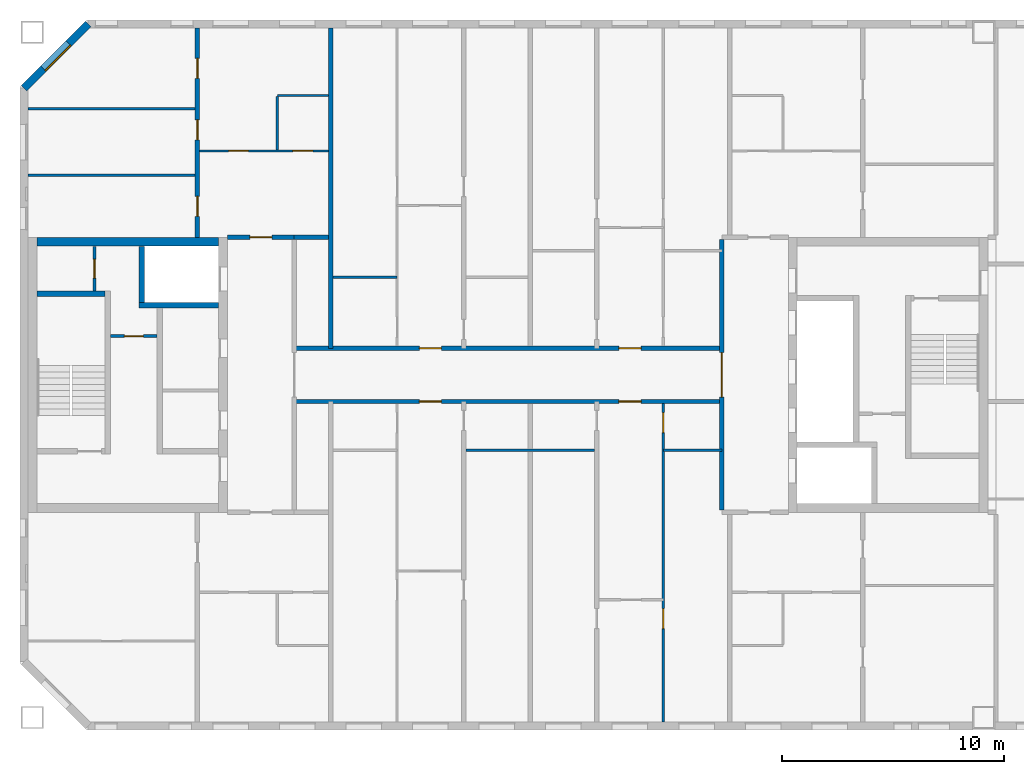
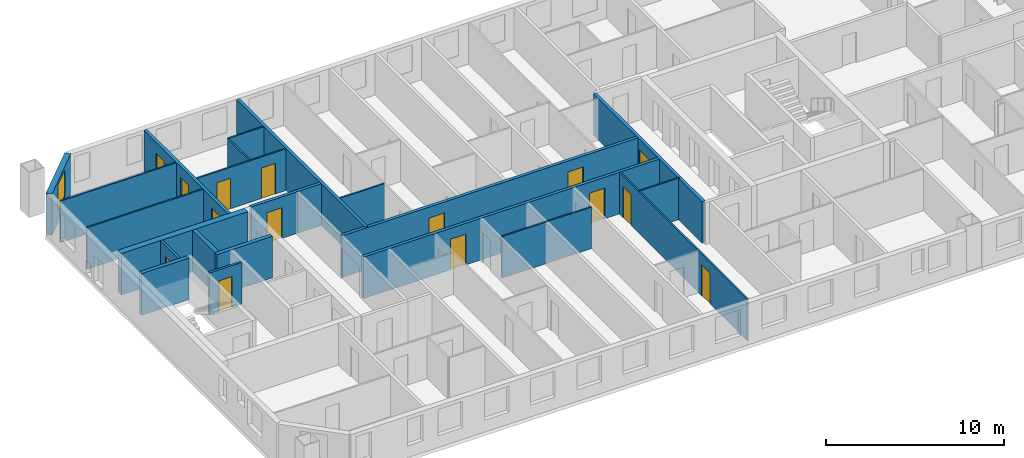
# One storey, part 6 of 19: 23 walls, 15 doors, 1 window, 16 openings.
"""IFC4 building model written with IfcOpenShell, lengths in metres."""

from ifc_helpers import new_model, si_unit, direction, frame, frame_2d, origin, place, context, subcontext, project, spatial, rectangle, extrude, material, layer, layer_set, type_object, element, fill, save


model = new_model("IFC4")

# Units and contexts
model_context = context("Model", 3, precision=1e-05, world=origin(), true_north=direction((0.0, 1.0)))
body_context = subcontext(model_context, "Body", "Model", "MODEL_VIEW")
ifc_project = project(units=[si_unit("LENGTHUNIT", "METRE"), si_unit("AREAUNIT", "SQUARE_METRE"), si_unit("VOLUMEUNIT", "CUBIC_METRE"), si_unit("PLANEANGLEUNIT", "RADIAN"), si_unit("MASSUNIT", "GRAM", prefix="KILO")], contexts=[model_context])

# Site, building, storey
site_placement = place(None, origin())
site = spatial("IfcSite", under=ifc_project, at=site_placement, CompositionType="ELEMENT")
building_placement = place(site_placement, origin())
building = spatial("IfcBuilding", under=site, at=building_placement, Name="Tuart Gate Housing", CompositionType="ELEMENT")
storey_placement = place(building_placement, frame((0.0, 0.0, 209.0)))
storey = spatial("IfcBuildingStorey", under=building, at=storey_placement, Name="L59", CompositionType="ELEMENT", Elevation=209.0)

# Wall, opening, window
ifc_material_1 = material(Name="Brick", Category="masonry")
ifc_layer_1 = layer(ifc_material_1, 0.360107421875)
ifc_layer_set_1 = layer_set([ifc_layer_1], Name="Brick pier and spandrel wall 360")
wall_type_1 = type_object("IfcWallType", Name="Brick pier and spandrel wall 360", PredefinedType="STANDARD", material=ifc_layer_set_1)
wall_1_placement = place(storey_placement, frame((35.07470703125, 85.820068359375, 0.0), z_axis=(0.0, 0.0, 1.0), x_axis=(-0.707106781187, -0.707106781187, 0.0)))
wall_1 = element("IfcWall", 1, at=wall_1_placement, inside=storey, type_object=wall_type_1, Name="External wall BLK-NW L59", PredefinedType="STANDARD", context=body_context, shape_type="SweptSolid", body=[
    extrude(rectangle(XDim=4.09375, YDim=0.360107421875, at=frame_2d((2.046875, 0.0))), origin(), (0.0, 0.0, 1.0), 2.85009765625),
])
opening_1_placement = place(wall_1_placement, frame((1.2470703125, 0.0, 0.800048828125)))
opening_1 = element("IfcOpeningElement", 2, at=opening_1_placement, cuts=wall_1, Name="Opening W1", PredefinedType="OPENING", context=body_context, shape_type="SweptSolid", body=[
    extrude(rectangle(XDim=1.60009765625, YDim=1.800048828125, at=frame_2d((0.800048828125, 0.89990234375))), frame((0.0, 0.18994140625, 0.0), z_axis=(0.0, -1.0, 0.0), x_axis=(1.0, 0.0, 0.0)), (0.0, 0.0, 1.0), 0.380126953125),
])
ifc_material_2 = material(Name="Aluminium frame with clear glass", Category="aluminium")
window_type = type_object("IfcWindowType", Name="Punched window 1600 x 1800", PartitioningType="SINGLE_PANEL", PredefinedType="WINDOW", material=ifc_material_2)
window_placement = place(opening_1_placement, origin())
window = element("IfcWindow", 3, at=window_placement, inside=storey, type_object=window_type, Name="Window W1", OverallHeight=1.800048828125, OverallWidth=1.60009765625, PartitioningType="SINGLE_PANEL", PredefinedType="WINDOW", context=body_context, shape_type="SweptSolid", body=[
    extrude(rectangle(XDim=1.60009765625, YDim=1.800048828125, at=frame_2d((0.800048828125, 0.89990234375))), frame((0.0, 0.150146484375, 0.0), z_axis=(0.0, -1.0, 0.0), x_axis=(1.0, 0.0, 0.0)), (0.0, 0.0, 1.0), 0.06005859375),
])
fill(opening_1, window)

# Wall, opening, door
ifc_material_3 = material(Name="Plasterboard partition")
ifc_layer_2 = layer(ifc_material_3, 0.14990234375)
ifc_layer_set_2 = layer_set([ifc_layer_2], Name="Core partition 150")
wall_type_2 = type_object("IfcWallType", Name="Core partition 150", PredefinedType="PARTITIONING", material=ifc_layer_set_2)
wall_2_placement = place(storey_placement, frame((38.18505859375, 71.75, 0.0), z_axis=(0.0, 0.0, 1.0), x_axis=(-1.0, 0.0, 0.0)))
wall_2 = element("IfcWall", 4, at=wall_2_placement, inside=storey, type_object=wall_type_2, Name="Core partition AK.3", PredefinedType="PARTITIONING", context=body_context, shape_type="SweptSolid", body=[
    extrude(rectangle(XDim=2.10009765625, YDim=0.14990234375, at=frame_2d((1.050048828125, 0.0))), origin(), (0.0, 0.0, 1.0), 2.85009765625),
])
opening_2_placement = place(wall_2_placement, frame((0.625, 0.0, 0.0)))
opening_2 = element("IfcOpeningElement", 5, at=opening_2_placement, cuts=wall_2, Name="Opening D2132", PredefinedType="OPENING", context=body_context, shape_type="SweptSolid", body=[
    extrude(rectangle(XDim=0.85009765625, YDim=2.10009765625, at=frame_2d((0.425048828125, 1.050048828125))), frame((0.0, 0.0849609375, 0.0), z_axis=(0.0, -1.0, 0.0), x_axis=(1.0, 0.0, 0.0)), (0.0, 0.0, 1.0), 0.169921875),
])
ifc_material_4 = material(Name="Steel fire door", Category="steel")
door_type_1 = type_object("IfcDoorType", Name="Riser door 850 x 2100 RH", OperationType="SINGLE_SWING_RIGHT", PredefinedType="DOOR", material=ifc_material_4)
door_1_placement = place(opening_2_placement, frame((0.85009765625, 0.0, 0.0), z_axis=(0.0, 0.0, 1.0), x_axis=(-1.0, 0.0, 0.0)))
door_1 = element("IfcDoor", 6, at=door_1_placement, inside=storey, type_object=door_type_1, Name="Service room door AK.E1", OperationType="SINGLE_SWING_RIGHT", OverallHeight=2.10009765625, OverallWidth=0.85009765625, PredefinedType="DOOR", context=body_context, shape_type="SweptSolid", body=[
    extrude(rectangle(XDim=0.85009765625, YDim=2.10009765625, at=frame_2d((0.425048828125, 1.050048828125))), frame((0.0, 0.025146484375, 0.0), z_axis=(0.0, -1.0, 0.0), x_axis=(1.0, 0.0, 0.0)), (0.0, 0.0, 1.0), 0.050048828125),
])
fill(opening_2, door_1)

wall_3_placement = place(storey_placement, frame((35.360107421875, 75.800048828125, 0.0), z_axis=(0.0, 0.0, 1.0), x_axis=(0.0, -1.0, 0.0)))
wall_3 = element("IfcWall", 7, at=wall_3_placement, inside=storey, type_object=wall_type_2, Name="Core partition AK.10", PredefinedType="PARTITIONING", context=body_context, shape_type="SweptSolid", body=[
    extrude(rectangle(XDim=2.025146484375, YDim=0.14990234375, at=frame_2d((1.0126953125, 0.0))), origin(), (0.0, 0.0, 1.0), 2.85009765625),
])
opening_3_placement = place(wall_3_placement, frame((0.58740234375, 0.0, 0.0)))
opening_3 = element("IfcOpeningElement", 8, at=opening_3_placement, cuts=wall_3, Name="Opening D2130", PredefinedType="OPENING", context=body_context, shape_type="SweptSolid", body=[
    extrude(rectangle(XDim=0.85009765625, YDim=2.10009765625, at=frame_2d((0.425048828125, 1.050048828125))), frame((0.0, 0.0849609375, 0.0), z_axis=(0.0, -1.0, 0.0), x_axis=(1.0, 0.0, 0.0)), (0.0, 0.0, 1.0), 0.169921875),
])
ifc_material_5 = material(Name="Steel fire door", Category="steel")
door_type_2 = type_object("IfcDoorType", Name="Service door 850 x 2100", OperationType="SINGLE_SWING_LEFT", PredefinedType="DOOR", material=ifc_material_5)
door_2_placement = place(opening_3_placement, origin())
door_2 = element("IfcDoor", 9, at=door_2_placement, inside=storey, type_object=door_type_2, Name="Service room door AK.E2", OperationType="SINGLE_SWING_LEFT", OverallHeight=2.10009765625, OverallWidth=0.85009765625, PredefinedType="DOOR", context=body_context, shape_type="SweptSolid", body=[
    extrude(rectangle(XDim=0.85009765625, YDim=2.10009765625, at=frame_2d((0.425048828125, 1.050048828125))), frame((0.0, 0.02490234375, 0.0), z_axis=(0.0, -1.0, 0.0), x_axis=(1.0, 0.0, 0.0)), (0.0, 0.0, 1.0), 0.050048828125),
])
fill(opening_3, door_2)

# Walls
ifc_material_6 = material(Name="Concrete C40", Category="concrete")
ifc_layer_3 = layer(ifc_material_6, 0.25)
ifc_layer_set_3 = layer_set([ifc_layer_3], Name="Core wall 250 C40")
wall_type_3 = type_object("IfcWallType", Name="Core wall 250 C40", PredefinedType="SHEAR", material=ifc_layer_set_3)
wall_4_placement = place(storey_placement, frame((35.8349609375, 73.64990234375, 0.0), z_axis=(0.0, 0.0, 1.0), x_axis=(-1.0, 0.0, 0.0)))
element("IfcWall", 10, at=wall_4_placement, inside=storey, type_object=wall_type_3, Name="Core wall AK.1", PredefinedType="SHEAR", context=body_context, shape_type="SweptSolid", body=[
    extrude(rectangle(XDim=3.074951171875, YDim=0.25, at=frame_2d((1.53759765625, 0.0))), origin(), (0.0, 0.0, 1.0), 2.85009765625),
])
wall_5_placement = place(storey_placement, frame((40.9599609375, 73.14990234375, 0.0), z_axis=(0.0, 0.0, 1.0), x_axis=(-1.0, 0.0, 0.0)))
element("IfcWall", 11, at=wall_5_placement, inside=storey, type_object=wall_type_3, Name="Core wall AK.2", PredefinedType="SHEAR", context=body_context, shape_type="SweptSolid", body=[
    extrude(rectangle(XDim=3.594970703125, YDim=0.25, at=frame_2d((1.79736328125, 0.0))), origin(), (0.0, 0.0, 1.0), 2.85009765625),
])
wall_6_placement = place(storey_placement, frame((37.489990234375, 75.800048828125, 0.0), z_axis=(0.0, 0.0, 1.0), x_axis=(0.0, -1.0, 0.0)))
element("IfcWall", 12, at=wall_6_placement, inside=storey, type_object=wall_type_3, Name="Core wall AK.8", PredefinedType="SHEAR", context=body_context, shape_type="SweptSolid", body=[
    extrude(rectangle(XDim=2.525146484375, YDim=0.25, at=frame_2d((1.2626953125, 0.0))), origin(), (0.0, 0.0, 1.0), 2.85009765625),
])
ifc_material_7 = material(Name="Concrete C40", Category="concrete")
ifc_layer_4 = layer(ifc_material_7, 0.39990234375)
ifc_layer_set_4 = layer_set([ifc_layer_4], Name="Core wall 400 C40")
wall_type_4 = type_object("IfcWallType", Name="Core wall 400 C40", PredefinedType="SHEAR", material=ifc_layer_set_4)
wall_7_placement = place(storey_placement, frame((40.9599609375, 76.0, 0.0), z_axis=(0.0, 0.0, 1.0), x_axis=(-1.0, 0.0, 0.0)))
element("IfcWall", 13, at=wall_7_placement, inside=storey, type_object=wall_type_4, Name="Core wall AK south", PredefinedType="SHEAR", context=body_context, shape_type="SweptSolid", body=[
    extrude(rectangle(XDim=8.199951171875, YDim=0.39990234375, at=frame_2d((4.10009765625, 0.0))), origin(), (0.0, 0.0, 1.0), 2.85009765625),
])

# Wall, openings, doors
ifc_material_8 = material(Name="Concrete masonry 15 MPa", Category="masonry")
ifc_layer_5 = layer(ifc_material_8, 0.199951171875)
ifc_layer_set_5 = layer_set([ifc_layer_5], Name="Corridor wall masonry 200")
wall_type_5 = type_object("IfcWallType", Name="Corridor wall masonry 200", PredefinedType="PARTITIONING", material=ifc_layer_set_5)
wall_8_placement = place(storey_placement, frame((44.360107421875, 68.800048828125, 0.0), z_axis=(0.0, 0.0, 1.0), x_axis=(1.0, 0.0, 0.0)))
wall_8 = element("IfcWall", 14, at=wall_8_placement, inside=storey, type_object=wall_type_5, Name="Corridor wall masonry 200", PredefinedType="PARTITIONING", context=body_context, shape_type="SweptSolid", body=[
    extrude(rectangle(XDim=19.27978515625, YDim=0.199951171875, at=frame_2d((9.639892578125, 0.0))), origin(), (0.0, 0.0, 1.0), 2.85009765625),
])
opening_4_placement = place(wall_8_placement, frame((14.639892578125, 0.0, 0.0)))
opening_4 = element("IfcOpeningElement", 15, at=opening_4_placement, cuts=wall_8, Name="Opening D2142", PredefinedType="OPENING", context=body_context, shape_type="SweptSolid", body=[
    extrude(rectangle(XDim=1.0, YDim=2.10009765625, at=frame_2d((0.5, 1.050048828125))), frame((0.0, 0.10986328125, 0.0), z_axis=(0.0, -1.0, 0.0), x_axis=(1.0, 0.0, 0.0)), (0.0, 0.0, 1.0), 0.219970703125),
])
opening_5_placement = place(wall_8_placement, frame((5.639892578125, 0.0, 0.0)))
opening_5 = element("IfcOpeningElement", 16, at=opening_5_placement, cuts=wall_8, Name="Opening D2143", PredefinedType="OPENING", context=body_context, shape_type="SweptSolid", body=[
    extrude(rectangle(XDim=1.0, YDim=2.10009765625, at=frame_2d((0.5, 1.050048828125))), frame((0.0, 0.10986328125, 0.0), z_axis=(0.0, -1.0, 0.0), x_axis=(1.0, 0.0, 0.0)), (0.0, 0.0, 1.0), 0.219970703125),
])
ifc_material_9 = material(Name="Timber door leaf in steel frame", Category="steel")
door_type_3 = type_object("IfcDoorType", Name="Flat entrance door 1000 RH", OperationType="SINGLE_SWING_RIGHT", PredefinedType="DOOR", material=ifc_material_9)
door_3_placement = place(opening_4_placement, frame((1.0, 0.0, 0.0), z_axis=(0.0, 0.0, 1.0), x_axis=(-1.0, 0.0, 0.0)))
door_3 = element("IfcDoor", 17, at=door_3_placement, inside=storey, type_object=door_type_3, Name="Flat entrance door", OperationType="SINGLE_SWING_RIGHT", OverallHeight=2.10009765625, OverallWidth=1.0, PredefinedType="DOOR", context=body_context, shape_type="SweptSolid", body=[
    extrude(rectangle(XDim=1.0, YDim=2.10009765625, at=frame_2d((0.5, 1.050048828125))), frame((0.0, 0.025146484375, 0.0), z_axis=(0.0, -1.0, 0.0), x_axis=(1.0, 0.0, 0.0)), (0.0, 0.0, 1.0), 0.050048828125),
])
fill(opening_4, door_3)
door_4_placement = place(opening_5_placement, frame((1.0, 0.0, 0.0), z_axis=(0.0, 0.0, 1.0), x_axis=(-1.0, 0.0, 0.0)))
door_4 = element("IfcDoor", 18, at=door_4_placement, inside=storey, type_object=door_type_3, Name="Flat entrance door", OperationType="SINGLE_SWING_RIGHT", OverallHeight=2.10009765625, OverallWidth=1.0, PredefinedType="DOOR", context=body_context, shape_type="SweptSolid", body=[
    extrude(rectangle(XDim=1.0, YDim=2.10009765625, at=frame_2d((0.5, 1.050048828125))), frame((0.0, 0.025146484375, 0.0), z_axis=(0.0, -1.0, 0.0), x_axis=(1.0, 0.0, 0.0)), (0.0, 0.0, 1.0), 0.050048828125),
])
fill(opening_5, door_4)

wall_9_placement = place(storey_placement, frame((44.360107421875, 71.199951171875, 0.0), z_axis=(0.0, 0.0, 1.0), x_axis=(1.0, 0.0, 0.0)))
wall_9 = element("IfcWall", 19, at=wall_9_placement, inside=storey, type_object=wall_type_5, Name="Corridor wall masonry 200", PredefinedType="PARTITIONING", context=body_context, shape_type="SweptSolid", body=[
    extrude(rectangle(XDim=19.27978515625, YDim=0.199951171875, at=frame_2d((9.639892578125, 0.0))), origin(), (0.0, 0.0, 1.0), 2.85009765625),
])
opening_6_placement = place(wall_9_placement, frame((14.639892578125, 0.0, 0.0)))
opening_6 = element("IfcOpeningElement", 20, at=opening_6_placement, cuts=wall_9, Name="Opening D2133", PredefinedType="OPENING", context=body_context, shape_type="SweptSolid", body=[
    extrude(rectangle(XDim=1.0, YDim=2.10009765625, at=frame_2d((0.5, 1.050048828125))), frame((0.0, 0.10986328125, 0.0), z_axis=(0.0, -1.0, 0.0), x_axis=(1.0, 0.0, 0.0)), (0.0, 0.0, 1.0), 0.219970703125),
])
opening_7_placement = place(wall_9_placement, frame((5.639892578125, 0.0, 0.0)))
opening_7 = element("IfcOpeningElement", 21, at=opening_7_placement, cuts=wall_9, Name="Opening D2134", PredefinedType="OPENING", context=body_context, shape_type="SweptSolid", body=[
    extrude(rectangle(XDim=1.0, YDim=2.10009765625, at=frame_2d((0.5, 1.050048828125))), frame((0.0, 0.10986328125, 0.0), z_axis=(0.0, -1.0, 0.0), x_axis=(1.0, 0.0, 0.0)), (0.0, 0.0, 1.0), 0.219970703125),
])
ifc_material_10 = material(Name="Timber door leaf in steel frame", Category="steel")
door_type_4 = type_object("IfcDoorType", Name="Flat entrance door 1000", OperationType="SINGLE_SWING_LEFT", PredefinedType="DOOR", material=ifc_material_10)
door_5_placement = place(opening_6_placement, origin())
door_5 = element("IfcDoor", 22, at=door_5_placement, inside=storey, type_object=door_type_4, Name="Flat entrance door", OperationType="SINGLE_SWING_LEFT", OverallHeight=2.10009765625, OverallWidth=1.0, PredefinedType="DOOR", context=body_context, shape_type="SweptSolid", body=[
    extrude(rectangle(XDim=1.0, YDim=2.10009765625, at=frame_2d((0.5, 1.050048828125))), frame((0.0, 0.02490234375, 0.0), z_axis=(0.0, -1.0, 0.0), x_axis=(1.0, 0.0, 0.0)), (0.0, 0.0, 1.0), 0.050048828125),
])
fill(opening_6, door_5)
door_6_placement = place(opening_7_placement, origin())
door_6 = element("IfcDoor", 23, at=door_6_placement, inside=storey, type_object=door_type_4, Name="Flat entrance door", OperationType="SINGLE_SWING_LEFT", OverallHeight=2.10009765625, OverallWidth=1.0, PredefinedType="DOOR", context=body_context, shape_type="SweptSolid", body=[
    extrude(rectangle(XDim=1.0, YDim=2.10009765625, at=frame_2d((0.5, 1.050048828125))), frame((0.0, 0.02490234375, 0.0), z_axis=(0.0, -1.0, 0.0), x_axis=(1.0, 0.0, 0.0)), (0.0, 0.0, 1.0), 0.050048828125),
])
fill(opening_7, door_6)

# Wall, opening, door
ifc_material_11 = material(Name="Concrete masonry 15 MPa", Category="masonry")
ifc_layer_6 = layer(ifc_material_11, 0.199951171875)
ifc_layer_set_6 = layer_set([ifc_layer_6], Name="Enclosure wall masonry 200")
wall_type_6 = type_object("IfcWallType", Name="Enclosure wall masonry 200", PredefinedType="PARTITIONING", material=ifc_layer_set_6)
wall_10_placement = place(storey_placement, frame((41.360107421875, 76.199951171875, 0.0), z_axis=(0.0, 0.0, 1.0), x_axis=(1.0, 0.0, 0.0)))
wall_10 = element("IfcWall", 24, at=wall_10_placement, inside=storey, type_object=wall_type_6, Name="Enclosure wall masonry 200", PredefinedType="PARTITIONING", context=body_context, shape_type="SweptSolid", body=[
    extrude(rectangle(XDim=3.0, YDim=0.199951171875, at=frame_2d((1.5, 0.0))), origin(), (0.0, 0.0, 1.0), 2.85009765625),
])
opening_8_placement = place(wall_10_placement, frame((1.0, 0.0, 0.0)))
opening_8 = element("IfcOpeningElement", 25, at=opening_8_placement, cuts=wall_10, Name="Opening D2128", PredefinedType="OPENING", context=body_context, shape_type="SweptSolid", body=[
    extrude(rectangle(XDim=1.0, YDim=2.10009765625, at=frame_2d((0.5, 1.050048828125))), frame((0.0, 0.10986328125, 0.0), z_axis=(0.0, -1.0, 0.0), x_axis=(1.0, 0.0, 0.0)), (0.0, 0.0, 1.0), 0.219970703125),
])
door_7_placement = place(opening_8_placement, origin())
door_7 = element("IfcDoor", 26, at=door_7_placement, inside=storey, type_object=door_type_4, Name="Flat entrance door", OperationType="SINGLE_SWING_LEFT", OverallHeight=2.10009765625, OverallWidth=1.0, PredefinedType="DOOR", context=body_context, shape_type="SweptSolid", body=[
    extrude(rectangle(XDim=1.0, YDim=2.10009765625, at=frame_2d((0.5, 1.050048828125))), frame((0.0, 0.02490234375, 0.0), z_axis=(0.0, -1.0, 0.0), x_axis=(1.0, 0.0, 0.0)), (0.0, 0.0, 1.0), 0.050048828125),
])
fill(opening_8, door_7)

ifc_material_12 = material(Name="Plasterboard partition")
ifc_layer_7 = layer(ifc_material_12, 0.199951171875)
ifc_layer_set_7 = layer_set([ifc_layer_7], Name="Lobby wall 200")
wall_type_7 = type_object("IfcWallType", Name="Lobby wall 200", PredefinedType="PARTITIONING", material=ifc_layer_set_7)
wall_11_placement = place(storey_placement, frame((63.639892578125, 63.89990234375, 0.0), z_axis=(0.0, 0.0, 1.0), x_axis=(0.0, 1.0, 0.0)))
wall_11 = element("IfcWall", 27, at=wall_11_placement, inside=storey, type_object=wall_type_7, Name="Lift lobby wall AG", PredefinedType="PARTITIONING", context=body_context, shape_type="SweptSolid", body=[
    extrude(rectangle(XDim=12.2001953125, YDim=0.199951171875, at=frame_2d((6.10009765625, 0.0))), origin(), (0.0, 0.0, 1.0), 2.85009765625),
])
opening_9_placement = place(wall_11_placement, frame((5.10009765625, 0.0, 0.0)))
opening_9 = element("IfcOpeningElement", 28, at=opening_9_placement, cuts=wall_11, Name="Opening D2139", PredefinedType="OPENING", context=body_context, shape_type="SweptSolid", body=[
    extrude(rectangle(XDim=2.0, YDim=2.10009765625, at=frame_2d((1.0, 1.050048828125))), frame((0.0, 0.10986328125, 0.0), z_axis=(0.0, -1.0, 0.0), x_axis=(1.0, 0.0, 0.0)), (0.0, 0.0, 1.0), 0.219970703125),
])
ifc_material_13 = material(Name="Steel fire door", Category="steel")
door_type_5 = type_object("IfcDoorType", Name="Smoke door 2000 x 2100", OperationType="DOUBLE_DOOR_SINGLE_SWING", PredefinedType="DOOR", material=ifc_material_13)
door_8_placement = place(opening_9_placement, frame((2.0, 0.0, 0.0), z_axis=(0.0, 0.0, 1.0), x_axis=(-1.0, 0.0, 0.0)))
door_8 = element("IfcDoor", 29, at=door_8_placement, inside=storey, type_object=door_type_5, Name="Lift lobby smoke door AG", OperationType="DOUBLE_DOOR_SINGLE_SWING", OverallHeight=2.10009765625, OverallWidth=2.0, PredefinedType="DOOR", context=body_context, shape_type="SweptSolid", body=[
    extrude(rectangle(XDim=2.0, YDim=2.10009765625, at=frame_2d((1.0, 1.050048828125))), frame((0.0, 0.025146484375, 0.0), z_axis=(0.0, -1.0, 0.0), x_axis=(1.0, 0.0, 0.0)), (0.0, 0.0, 1.0), 0.050048828125),
])
fill(opening_9, door_8)

# Walls
ifc_material_14 = material(Name="Gypsum board on steel studs", Category="steel")
ifc_layer_8 = layer(ifc_material_14, 0.10009765625)
ifc_layer_set_8 = layer_set([ifc_layer_8], Name="Partition 100")
wall_type_8 = type_object("IfcWallType", Name="Partition 100", PredefinedType="PARTITIONING", material=ifc_layer_set_8)
wall_12_placement = place(storey_placement, frame((52.10009765625, 66.60009765625, 0.0), z_axis=(0.0, 0.0, 1.0), x_axis=(1.0, 0.0, 0.0)))
element("IfcWall", 30, at=wall_12_placement, inside=storey, type_object=wall_type_8, Name="Partition 100", PredefinedType="PARTITIONING", context=body_context, shape_type="SweptSolid", body=[
    extrude(rectangle(XDim=5.7998046875, YDim=0.10009765625, at=frame_2d((2.89990234375, 0.0))), origin(), (0.0, 0.0, 1.0), 2.85009765625),
])
wall_13_placement = place(storey_placement, frame((61.0, 66.60009765625, 0.0), z_axis=(0.0, 0.0, 1.0), x_axis=(1.0, 0.0, 0.0)))
element("IfcWall", 31, at=wall_13_placement, inside=storey, type_object=wall_type_8, Name="Partition 100", PredefinedType="PARTITIONING", context=body_context, shape_type="SweptSolid", body=[
    extrude(rectangle(XDim=2.639892578125, YDim=0.10009765625, at=frame_2d((1.31982421875, 0.0))), origin(), (0.0, 0.0, 1.0), 2.85009765625),
])
wall_14_placement = place(storey_placement, frame((46.10009765625, 74.39990234375, 0.0), z_axis=(0.0, 0.0, 1.0), x_axis=(1.0, 0.0, 0.0)))
element("IfcWall", 32, at=wall_14_placement, inside=storey, type_object=wall_type_8, Name="Partition 100", PredefinedType="PARTITIONING", context=body_context, shape_type="SweptSolid", body=[
    extrude(rectangle(XDim=2.89990234375, YDim=0.10009765625, at=frame_2d((1.449951171875, 0.0))), origin(), (0.0, 0.0, 1.0), 2.85009765625),
])
wall_15_placement = place(storey_placement, frame((32.360107421875, 79.0, 0.0), z_axis=(0.0, 0.0, 1.0), x_axis=(1.0, 0.0, 0.0)))
element("IfcWall", 33, at=wall_15_placement, inside=storey, type_object=wall_type_8, Name="Partition 100", PredefinedType="PARTITIONING", context=body_context, shape_type="SweptSolid", body=[
    extrude(rectangle(XDim=7.539794921875, YDim=0.10009765625, at=frame_2d((3.77001953125, 0.0))), origin(), (0.0, 0.0, 1.0), 2.85009765625),
])

# Wall, openings, doors
wall_16_placement = place(storey_placement, frame((40.10009765625, 80.10009765625, 0.0), z_axis=(0.0, 0.0, 1.0), x_axis=(1.0, 0.0, 0.0)))
wall_16 = element("IfcWall", 34, at=wall_16_placement, inside=storey, type_object=wall_type_8, Name="Partition 100", PredefinedType="PARTITIONING", context=body_context, shape_type="SweptSolid", body=[
    extrude(rectangle(XDim=5.7998046875, YDim=0.10009765625, at=frame_2d((2.89990234375, 0.0))), origin(), (0.0, 0.0, 1.0), 2.85009765625),
])
opening_10_placement = place(wall_16_placement, frame((1.300048828125, 0.0, 0.0)))
opening_10 = element("IfcOpeningElement", 35, at=opening_10_placement, cuts=wall_16, Name="Opening D2115", PredefinedType="OPENING", context=body_context, shape_type="SweptSolid", body=[
    extrude(rectangle(XDim=0.89990234375, YDim=2.10009765625, at=frame_2d((0.449951171875, 1.050048828125))), frame((0.0, 0.06005859375, 0.0), z_axis=(0.0, -1.0, 0.0), x_axis=(1.0, 0.0, 0.0)), (0.0, 0.0, 1.0), 0.1201171875),
])
opening_11_placement = place(wall_16_placement, frame((4.199951171875, 0.0, 0.0)))
opening_11 = element("IfcOpeningElement", 36, at=opening_11_placement, cuts=wall_16, Name="Opening D2114", PredefinedType="OPENING", context=body_context, shape_type="SweptSolid", body=[
    extrude(rectangle(XDim=0.89990234375, YDim=2.10009765625, at=frame_2d((0.449951171875, 1.050048828125))), frame((0.0, 0.06005859375, 0.0), z_axis=(0.0, -1.0, 0.0), x_axis=(1.0, 0.0, 0.0)), (0.0, 0.0, 1.0), 0.1201171875),
])
ifc_material_15 = material(Name="Timber door leaf in steel frame", Category="steel")
door_type_6 = type_object("IfcDoorType", Name="Bathroom door 900", OperationType="SINGLE_SWING_LEFT", PredefinedType="DOOR", material=ifc_material_15)
door_9_placement = place(opening_11_placement, origin())
door_9 = element("IfcDoor", 37, at=door_9_placement, inside=storey, type_object=door_type_6, Name="Bathroom door", OperationType="SINGLE_SWING_LEFT", OverallHeight=2.10009765625, OverallWidth=0.89990234375, PredefinedType="DOOR", context=body_context, shape_type="SweptSolid", body=[
    extrude(rectangle(XDim=0.89990234375, YDim=2.10009765625, at=frame_2d((0.449951171875, 1.050048828125))), frame((0.0, 0.02490234375, 0.0), z_axis=(0.0, -1.0, 0.0), x_axis=(1.0, 0.0, 0.0)), (0.0, 0.0, 1.0), 0.050048828125),
])
fill(opening_11, door_9)
ifc_material_16 = material(Name="Timber door leaf in steel frame", Category="steel")
door_type_7 = type_object("IfcDoorType", Name="Internal door 900 RH", OperationType="SINGLE_SWING_RIGHT", PredefinedType="DOOR", material=ifc_material_16)
door_10_placement = place(opening_10_placement, frame((0.89990234375, 0.0, 0.0), z_axis=(0.0, 0.0, 1.0), x_axis=(-1.0, 0.0, 0.0)))
door_10 = element("IfcDoor", 38, at=door_10_placement, inside=storey, type_object=door_type_7, Name="Internal door", OperationType="SINGLE_SWING_RIGHT", OverallHeight=2.10009765625, OverallWidth=0.89990234375, PredefinedType="DOOR", context=body_context, shape_type="SweptSolid", body=[
    extrude(rectangle(XDim=0.89990234375, YDim=2.10009765625, at=frame_2d((0.449951171875, 1.050048828125))), frame((0.0, 0.025146484375, 0.0), z_axis=(0.0, -1.0, 0.0), x_axis=(1.0, 0.0, 0.0)), (0.0, 0.0, 1.0), 0.050048828125),
])
fill(opening_10, door_10)

# Walls
wall_17_placement = place(storey_placement, frame((32.360107421875, 82.0, 0.0), z_axis=(0.0, 0.0, 1.0), x_axis=(1.0, 0.0, 0.0)))
element("IfcWall", 39, at=wall_17_placement, inside=storey, type_object=wall_type_8, Name="Partition 100", PredefinedType="PARTITIONING", context=body_context, shape_type="SweptSolid", body=[
    extrude(rectangle(XDim=7.539794921875, YDim=0.10009765625, at=frame_2d((3.77001953125, 0.0))), origin(), (0.0, 0.0, 1.0), 2.85009765625),
])
wall_18_placement = place(storey_placement, frame((43.60009765625, 82.60009765625, 0.0), z_axis=(0.0, 0.0, 1.0), x_axis=(1.0, 0.0, 0.0)))
element("IfcWall", 40, at=wall_18_placement, inside=storey, type_object=wall_type_8, Name="Partition 100", PredefinedType="PARTITIONING", context=body_context, shape_type="SweptSolid", body=[
    extrude(rectangle(XDim=2.2998046875, YDim=0.10009765625, at=frame_2d((1.14990234375, 0.0))), origin(), (0.0, 0.0, 1.0), 2.85009765625),
])
wall_19_placement = place(storey_placement, frame((43.60009765625, 80.14990234375, 0.0), z_axis=(0.0, 0.0, 1.0), x_axis=(0.0, 1.0, 0.0)))
element("IfcWall", 41, at=wall_19_placement, inside=storey, type_object=wall_type_8, Name="Partition 100", PredefinedType="PARTITIONING", context=body_context, shape_type="SweptSolid", body=[
    extrude(rectangle(XDim=2.400146484375, YDim=0.10009765625, at=frame_2d((1.2001953125, 0.0))), origin(), (0.0, 0.0, 1.0), 2.85009765625),
])

# Wall, openings, doors
wall_20_placement = place(storey_placement, frame((61.0, 54.360107421875, 0.0), z_axis=(0.0, 0.0, 1.0), x_axis=(0.0, 1.0, 0.0)))
wall_20 = element("IfcWall", 42, at=wall_20_placement, inside=storey, type_object=wall_type_8, Name="Partition 100", PredefinedType="PARTITIONING", context=body_context, shape_type="SweptSolid", body=[
    extrude(rectangle(XDim=14.33984375, YDim=0.10009765625, at=frame_2d((7.169921875, 0.0))), origin(), (0.0, 0.0, 1.0), 2.85009765625),
])
opening_12_placement = place(wall_20_placement, frame((4.199951171875, 0.0, 0.0)))
opening_12 = element("IfcOpeningElement", 43, at=opening_12_placement, cuts=wall_20, Name="Opening D2155", PredefinedType="OPENING", context=body_context, shape_type="SweptSolid", body=[
    extrude(rectangle(XDim=0.89990234375, YDim=2.10009765625, at=frame_2d((0.449951171875, 1.050048828125))), frame((0.0, 0.06005859375, 0.0), z_axis=(0.0, -1.0, 0.0), x_axis=(1.0, 0.0, 0.0)), (0.0, 0.0, 1.0), 0.1201171875),
])
opening_13_placement = place(wall_20_placement, frame((13.0400390625, 0.0, 0.0)))
opening_13 = element("IfcOpeningElement", 44, at=opening_13_placement, cuts=wall_20, Name="Opening D2154", PredefinedType="OPENING", context=body_context, shape_type="SweptSolid", body=[
    extrude(rectangle(XDim=0.89990234375, YDim=2.10009765625, at=frame_2d((0.449951171875, 1.050048828125))), frame((0.0, 0.06005859375, 0.0), z_axis=(0.0, -1.0, 0.0), x_axis=(1.0, 0.0, 0.0)), (0.0, 0.0, 1.0), 0.1201171875),
])
door_11_placement = place(opening_13_placement, frame((0.89990234375, 0.0, 0.0), z_axis=(0.0, 0.0, 1.0), x_axis=(-1.0, 0.0, 0.0)))
door_11 = element("IfcDoor", 45, at=door_11_placement, inside=storey, type_object=door_type_6, Name="Bathroom door", OperationType="SINGLE_SWING_LEFT", OverallHeight=2.10009765625, OverallWidth=0.89990234375, PredefinedType="DOOR", context=body_context, shape_type="SweptSolid", body=[
    extrude(rectangle(XDim=0.89990234375, YDim=2.10009765625, at=frame_2d((0.449951171875, 1.050048828125))), frame((0.0, 0.025146484375, 0.0), z_axis=(0.0, -1.0, 0.0), x_axis=(1.0, 0.0, 0.0)), (0.0, 0.0, 1.0), 0.050048828125),
])
fill(opening_13, door_11)
door_12_placement = place(opening_12_placement, frame((0.89990234375, 0.0, 0.0), z_axis=(0.0, 0.0, 1.0), x_axis=(-1.0, 0.0, 0.0)))
door_12 = element("IfcDoor", 46, at=door_12_placement, inside=storey, type_object=door_type_7, Name="Internal door", OperationType="SINGLE_SWING_RIGHT", OverallHeight=2.10009765625, OverallWidth=0.89990234375, PredefinedType="DOOR", context=body_context, shape_type="SweptSolid", body=[
    extrude(rectangle(XDim=0.89990234375, YDim=2.10009765625, at=frame_2d((0.449951171875, 1.050048828125))), frame((0.0, 0.025146484375, 0.0), z_axis=(0.0, -1.0, 0.0), x_axis=(1.0, 0.0, 0.0)), (0.0, 0.0, 1.0), 0.050048828125),
])
fill(opening_12, door_12)

ifc_material_17 = material(Name="Concrete C40", Category="concrete")
ifc_layer_9 = layer(ifc_material_17, 0.199951171875)
ifc_layer_set_9 = layer_set([ifc_layer_9], Name="Party wall concrete C40 200")
wall_type_9 = type_object("IfcWallType", Name="Party wall concrete C40 200", PredefinedType="SOLIDWALL", material=ifc_layer_set_9)
wall_21_placement = place(storey_placement, frame((40.0, 76.199951171875, 0.0), z_axis=(0.0, 0.0, 1.0), x_axis=(0.0, 1.0, 0.0)))
wall_21 = element("IfcWall", 47, at=wall_21_placement, inside=storey, type_object=wall_type_9, Name="Party wall concrete C40 200", PredefinedType="SOLIDWALL", context=body_context, shape_type="SweptSolid", body=[
    extrude(rectangle(XDim=9.43994140625, YDim=0.199951171875, at=frame_2d((4.719970703125, 0.0))), origin(), (0.0, 0.0, 1.0), 2.85009765625),
])
opening_14_placement = place(wall_21_placement, frame((7.169921875, 0.0, 0.0)))
opening_14 = element("IfcOpeningElement", 48, at=opening_14_placement, cuts=wall_21, Name="Opening D2109", PredefinedType="OPENING", context=body_context, shape_type="SweptSolid", body=[
    extrude(rectangle(XDim=0.89990234375, YDim=2.10009765625, at=frame_2d((0.449951171875, 1.050048828125))), frame((0.0, 0.10986328125, 0.0), z_axis=(0.0, -1.0, 0.0), x_axis=(1.0, 0.0, 0.0)), (0.0, 0.0, 1.0), 0.219970703125),
])
opening_15_placement = place(wall_21_placement, frame((4.39990234375, 0.0, 0.0)))
opening_15 = element("IfcOpeningElement", 49, at=opening_15_placement, cuts=wall_21, Name="Opening D2110", PredefinedType="OPENING", context=body_context, shape_type="SweptSolid", body=[
    extrude(rectangle(XDim=0.89990234375, YDim=2.10009765625, at=frame_2d((0.449951171875, 1.050048828125))), frame((0.0, 0.10986328125, 0.0), z_axis=(0.0, -1.0, 0.0), x_axis=(1.0, 0.0, 0.0)), (0.0, 0.0, 1.0), 0.219970703125),
])
opening_16_placement = place(wall_21_placement, frame((0.949951171875, 0.0, 0.0)))
opening_16 = element("IfcOpeningElement", 50, at=opening_16_placement, cuts=wall_21, Name="Opening D2111", PredefinedType="OPENING", context=body_context, shape_type="SweptSolid", body=[
    extrude(rectangle(XDim=0.89990234375, YDim=2.10009765625, at=frame_2d((0.449951171875, 1.050048828125))), frame((0.0, 0.10986328125, 0.0), z_axis=(0.0, -1.0, 0.0), x_axis=(1.0, 0.0, 0.0)), (0.0, 0.0, 1.0), 0.219970703125),
])
ifc_material_18 = material(Name="Timber door leaf in steel frame", Category="steel")
door_type_8 = type_object("IfcDoorType", Name="Internal door 900", OperationType="SINGLE_SWING_LEFT", PredefinedType="DOOR", material=ifc_material_18)
door_13_placement = place(opening_14_placement, origin())
door_13 = element("IfcDoor", 51, at=door_13_placement, inside=storey, type_object=door_type_8, Name="Internal door", OperationType="SINGLE_SWING_LEFT", OverallHeight=2.10009765625, OverallWidth=0.89990234375, PredefinedType="DOOR", context=body_context, shape_type="SweptSolid", body=[
    extrude(rectangle(XDim=0.89990234375, YDim=2.10009765625, at=frame_2d((0.449951171875, 1.050048828125))), frame((0.0, 0.02490234375, 0.0), z_axis=(0.0, -1.0, 0.0), x_axis=(1.0, 0.0, 0.0)), (0.0, 0.0, 1.0), 0.050048828125),
])
fill(opening_14, door_13)
door_14_placement = place(opening_16_placement, origin())
door_14 = element("IfcDoor", 52, at=door_14_placement, inside=storey, type_object=door_type_8, Name="Internal door", OperationType="SINGLE_SWING_LEFT", OverallHeight=2.10009765625, OverallWidth=0.89990234375, PredefinedType="DOOR", context=body_context, shape_type="SweptSolid", body=[
    extrude(rectangle(XDim=0.89990234375, YDim=2.10009765625, at=frame_2d((0.449951171875, 1.050048828125))), frame((0.0, 0.02490234375, 0.0), z_axis=(0.0, -1.0, 0.0), x_axis=(1.0, 0.0, 0.0)), (0.0, 0.0, 1.0), 0.050048828125),
])
fill(opening_16, door_14)
door_15_placement = place(opening_15_placement, origin())
door_15 = element("IfcDoor", 53, at=door_15_placement, inside=storey, type_object=door_type_7, Name="Internal door", OperationType="SINGLE_SWING_RIGHT", OverallHeight=2.10009765625, OverallWidth=0.89990234375, PredefinedType="DOOR", context=body_context, shape_type="SweptSolid", body=[
    extrude(rectangle(XDim=0.89990234375, YDim=2.10009765625, at=frame_2d((0.449951171875, 1.050048828125))), frame((0.0, 0.02490234375, 0.0), z_axis=(0.0, -1.0, 0.0), x_axis=(1.0, 0.0, 0.0)), (0.0, 0.0, 1.0), 0.050048828125),
])
fill(opening_15, door_15)

# Walls
wall_22_placement = place(storey_placement, frame((46.0, 71.199951171875, 0.0), z_axis=(0.0, 0.0, 1.0), x_axis=(0.0, 1.0, 0.0)))
element("IfcWall", 54, at=wall_22_placement, inside=storey, type_object=wall_type_9, Name="Party wall concrete C40 200", PredefinedType="SOLIDWALL", context=body_context, shape_type="SweptSolid", body=[
    extrude(rectangle(XDim=14.43994140625, YDim=0.199951171875, at=frame_2d((7.219970703125, 0.0))), origin(), (0.0, 0.0, 1.0), 2.85009765625),
])
ifc_material_19 = material(Name="Concrete masonry 15 MPa", Category="masonry")
ifc_layer_10 = layer(ifc_material_19, 0.199951171875)
ifc_layer_set_10 = layer_set([ifc_layer_10], Name="Party wall masonry 200")
wall_type_10 = type_object("IfcWallType", Name="Party wall masonry 200", PredefinedType="PARTITIONING", material=ifc_layer_set_10)
wall_23_placement = place(storey_placement, frame((44.360107421875, 76.199951171875, 0.0), z_axis=(0.0, 0.0, 1.0), x_axis=(1.0, 0.0, 0.0)))
element("IfcWall", 55, at=wall_23_placement, inside=storey, type_object=wall_type_10, Name="Party wall masonry 200", PredefinedType="PARTITIONING", context=body_context, shape_type="SweptSolid", body=[
    extrude(rectangle(XDim=1.539794921875, YDim=0.199951171875, at=frame_2d((0.77001953125, 0.0))), origin(), (0.0, 0.0, 1.0), 2.85009765625),
])

save(model, "model.ifc")
